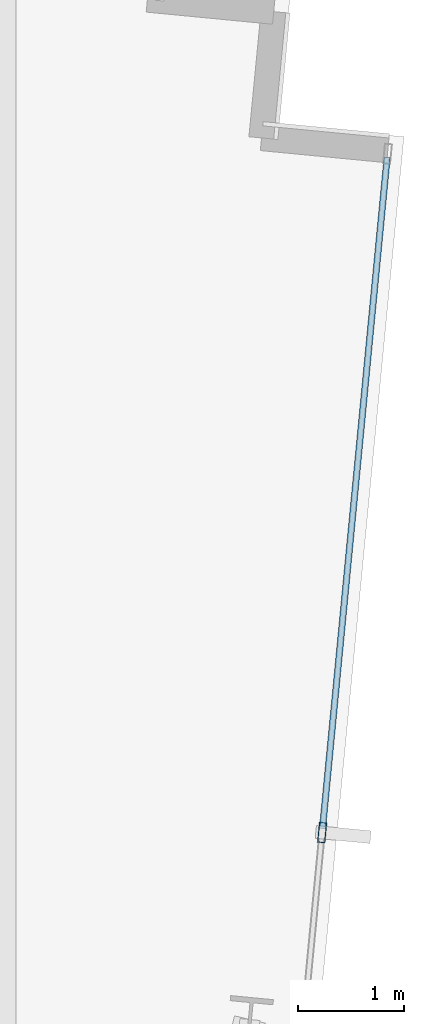
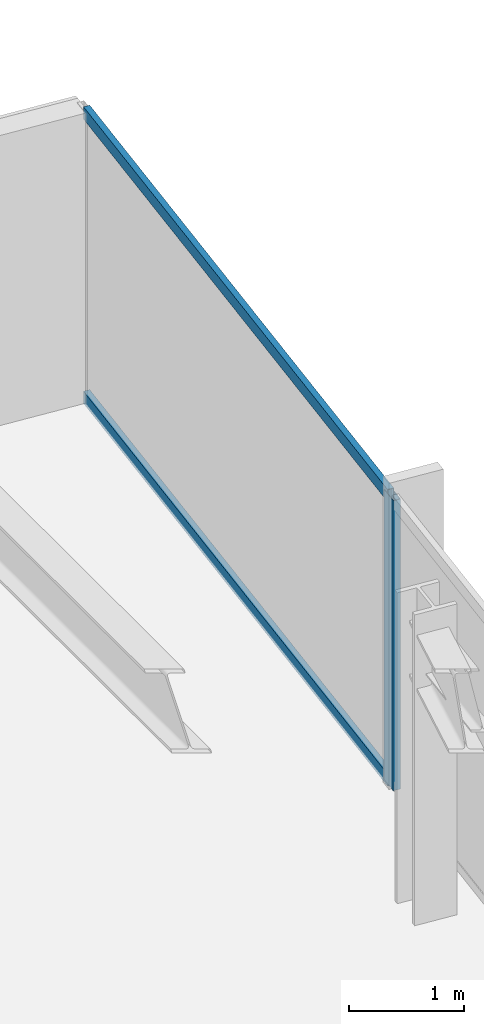
# One storey, part 20 of 37: 3 members, 1 element without a shape of its own.
"""IFC4 building model written with IfcOpenShell, lengths in metres."""

from ifc_helpers import new_model, si_unit, direction, frame, origin, origin_2d, place, context, subcontext, project, spatial, hollow_rectangle, extrude, material, material_profile, profile_set, type_object, element, aggregate, save


model = new_model("IFC4")

# Units and contexts
model_context = context("Model", 3, precision=1e-05, world=origin(), true_north=direction((0.0, 1.0)))
body_context = subcontext(model_context, "Body", "Model", "MODEL_VIEW")
ifc_project = project(units=[si_unit("LENGTHUNIT", "METRE"), si_unit("AREAUNIT", "SQUARE_METRE"), si_unit("VOLUMEUNIT", "CUBIC_METRE"), si_unit("PLANEANGLEUNIT", "RADIAN"), si_unit("MASSUNIT", "GRAM", prefix="KILO")], contexts=[model_context])

# Site, building, storey
site_placement = place(None, origin())
site = spatial("IfcSite", under=ifc_project, at=site_placement, CompositionType="ELEMENT")
building_placement = place(site_placement, origin())
building = spatial("IfcBuilding", under=site, at=building_placement, Name="Yelkora Congress Tower", CompositionType="ELEMENT")
storey_placement = place(building_placement, frame((0.0, 0.0, 168.800048828125)))
storey = spatial("IfcBuildingStorey", under=building, at=storey_placement, Name="L46", CompositionType="ELEMENT", Elevation=168.800048828125)

# Curtain wall, members
ifc_material_1 = material(Name="Anodised aluminium and insulated glass", Category="aluminium")
curtain_wall_type = type_object("IfcCurtainWallType", Name="CW-SYS-B3", PredefinedType="NOTDEFINED", material=ifc_material_1)
curtain_wall_placement = place(storey_placement, origin())
curtain_wall = element("IfcCurtainWall", 1, at=curtain_wall_placement, inside=storey, type_object=curtain_wall_type, Name="L46 Unitised Curtain Wall 15", PredefinedType="NOTDEFINED")
ifc_material_2 = material(Name="Anodised aluminium 6063-T6", Category="aluminium")
ifc_material_profile_1 = material_profile(ifc_material_2, hollow_rectangle(XDim=0.070068359375, YDim=0.18994140625, WallThickness=0.00390625, at=origin_2d()), Name="ALU 70x190x4")
ifc_profile_set_1 = profile_set([ifc_material_profile_1], Name="Anodised aluminium 6063-T6")
member_type_1 = type_object("IfcMemberType", Name="MEM-ML-B3", PredefinedType="MULLION", material=ifc_profile_set_1)
member_1_placement = place(storey_placement, frame((60.646240234375, 36.849853515625, 0.0), z_axis=(0.0, 0.0, 1.0), x_axis=(0.995396565076, -0.095841944023, 0.0)))
member_1 = element("IfcMember", 2, at=member_1_placement, type_object=member_type_1, Name="CW-B3 mullion 2", PredefinedType="MULLION", context=body_context, shape_type="SweptSolid", body=[
    extrude(hollow_rectangle(XDim=0.070068359375, YDim=0.18994140625, WallThickness=0.00390625, at=origin_2d()), origin(), (0.0, 0.0, 1.0), 3.079833984375),
])
ifc_material_profile_2 = material_profile(ifc_material_2, hollow_rectangle(XDim=0.06005859375, YDim=0.1298828125, WallThickness=0.00390625, at=origin_2d()), Name="ALU 60x130x4")
ifc_profile_set_2 = profile_set([ifc_material_profile_2], Name="Anodised aluminium 6063-T6")
member_type_2 = type_object("IfcMemberType", Name="MEM-TR-B3", PredefinedType="USERDEFINED", material=ifc_profile_set_2)
member_2_placement = place(storey_placement, frame((61.260986328125, 43.234375, 0.030029296875), z_axis=(-0.095872844558, -0.995393589329, 0.0), x_axis=(0.995393589329, -0.095872844558, 0.0)))
member_2 = element("IfcMember", 3, at=member_2_placement, type_object=member_type_2, Name="CW-B3 transom 1.1", ObjectType="TRANSOM", PredefinedType="USERDEFINED", context=body_context, shape_type="SweptSolid", body=[
    extrude(hollow_rectangle(XDim=0.06005859375, YDim=0.1298828125, WallThickness=0.00390625, at=origin_2d()), origin(), (0.0, 0.0, 1.0), 6.37890625),
])
member_3_placement = place(storey_placement, frame((61.260986328125, 43.234375, 3.050048828125), z_axis=(-0.095872844558, -0.995393589329, 0.0), x_axis=(0.995393589329, -0.095872844558, 0.0)))
member_3 = element("IfcMember", 4, at=member_3_placement, type_object=member_type_2, Name="CW-B3 transom 1.2", ObjectType="TRANSOM", PredefinedType="USERDEFINED", context=body_context, shape_type="SweptSolid", body=[
    extrude(hollow_rectangle(XDim=0.06005859375, YDim=0.1298828125, WallThickness=0.00390625, at=origin_2d()), origin(), (0.0, 0.0, 1.0), 6.37890625),
])
aggregate(curtain_wall, [member_1, member_2, member_3])

save(model, "model.ifc")
